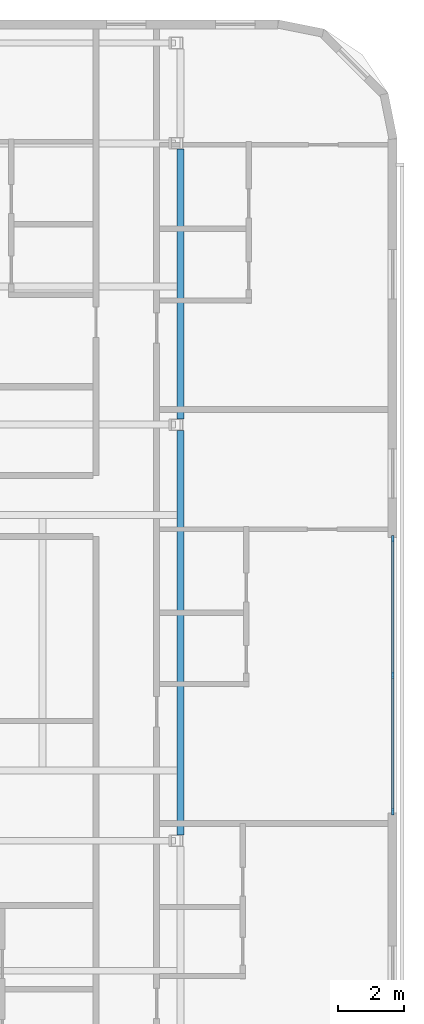
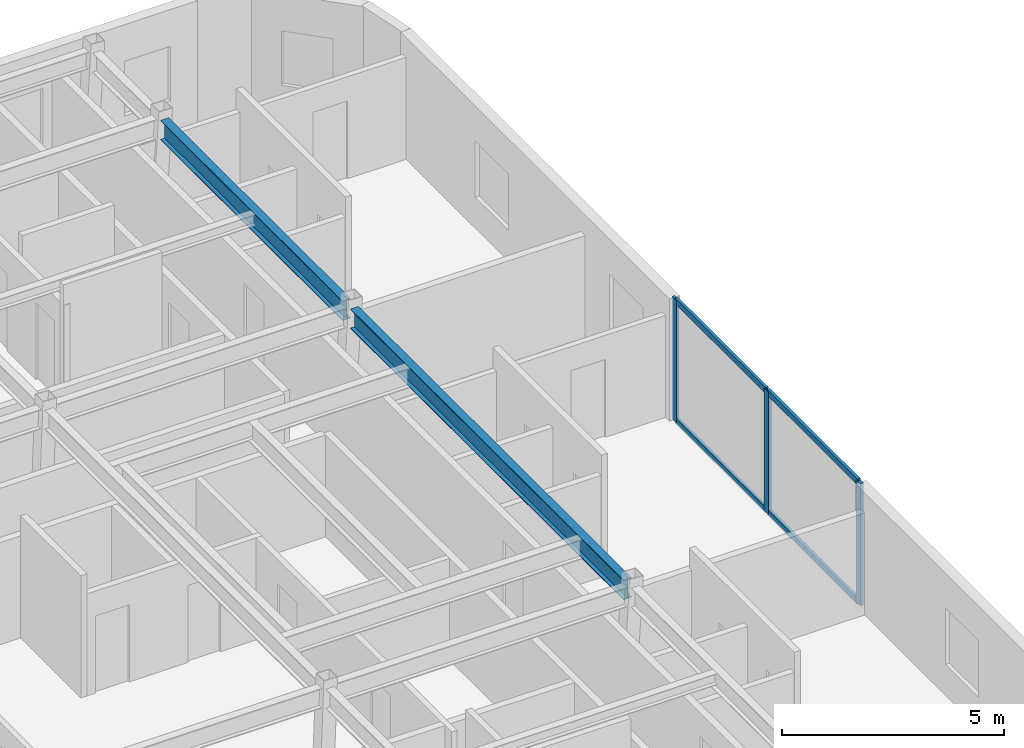
# One storey, part 2 of 10: 7 members, 2 beams, 1 element without a shape of its own.
"""IFC4 building model written with IfcOpenShell, lengths in metres."""

from ifc_helpers import new_model, si_unit, direction, frame, origin, origin_2d, place, context, subcontext, project, spatial, rectangle, i_section, extrude, material, layer, layer_set, material_profile, profile_set, type_object, element, aggregate, save


model = new_model("IFC4")

# Units and contexts
model_context = context("Model", 3, precision=1e-05, world=origin(), true_north=direction((0.0, 1.0)))
body_context = subcontext(model_context, "Body", "Model", "MODEL_VIEW")
ifc_project = project(units=[si_unit("LENGTHUNIT", "METRE"), si_unit("AREAUNIT", "SQUARE_METRE"), si_unit("VOLUMEUNIT", "CUBIC_METRE"), si_unit("PLANEANGLEUNIT", "RADIAN"), si_unit("MASSUNIT", "GRAM", prefix="KILO")], contexts=[model_context])

# Site, building, storey
site_placement = place(None, origin())
site = spatial("IfcSite", under=ifc_project, at=site_placement, CompositionType="ELEMENT")
building_placement = place(site_placement, origin())
building = spatial("IfcBuilding", under=site, at=building_placement, Name="Ochreholt Gables", CompositionType="ELEMENT")
storey_placement = place(building_placement, frame((0.0, 0.0, 223.800048828125)))
storey = spatial("IfcBuildingStorey", under=building, at=storey_placement, Name="L58", CompositionType="ELEMENT", Elevation=223.800048828125)

# Beams
ifc_material_1 = material(Name="Steel CSA G40.21 350W", Category="steel")
ifc_material_profile_1 = material_profile(ifc_material_1, i_section(OverallWidth=0.2109375, OverallDepth=0.5390625, WebThickness=0.01171875, FlangeThickness=0.018798828125, at=origin_2d()), Name="W530X109")
ifc_profile_set_1 = profile_set([ifc_material_profile_1], Name="Steel CSA G40.21 350W")
beam_type = type_object("IfcBeamType", Name="BM-G-W530A", PredefinedType="BEAM", material=ifc_profile_set_1)
beam_1_placement = place(storey_placement, frame((55.817626953125, 17.7275390625, 3.09033203125), z_axis=(0.0, 1.0, 0.0), x_axis=(-1.0, 0.0, 0.0)))
element("IfcBeam", 1, at=beam_1_placement, inside=storey, type_object=beam_type, Name="L58 Beam TBN-L58-EE-Y3Y4", PredefinedType="BEAM", context=body_context, shape_type="SweptSolid", body=[
    extrude(i_section(OverallWidth=0.2109375, OverallDepth=0.5390625, WebThickness=0.01171875, FlangeThickness=0.018798828125, at=origin_2d()), origin(), (0.0, 0.0, 1.0), 12.294921875),
])
beam_2_placement = place(storey_placement, frame((55.817626953125, 30.377685546875, 3.09033203125), z_axis=(0.0, 1.0, 0.0), x_axis=(-1.0, 0.0, 0.0)))
element("IfcBeam", 2, at=beam_2_placement, inside=storey, type_object=beam_type, Name="L58 Beam TBN-L58-EE-Y4Y5", PredefinedType="BEAM", context=body_context, shape_type="SweptSolid", body=[
    extrude(i_section(OverallWidth=0.2109375, OverallDepth=0.5390625, WebThickness=0.01171875, FlangeThickness=0.018798828125, at=origin_2d()), origin(), (0.0, 0.0, 1.0), 8.19482421875),
])

# Curtain wall, members
ifc_material_2 = material(Name="Unitised Aluminium and Triple Glazing", Category="aluminium")
ifc_layer = layer(ifc_material_2, 0.2099609375, Name="Unitised Aluminium and Triple Glazing")
ifc_layer_set = layer_set([ifc_layer], Name="Unitised Aluminium and Triple Glazing")
curtain_wall_type = type_object("IfcCurtainWallType", Name="CW-SYS5", PredefinedType="NOTDEFINED", material=ifc_layer_set)
curtain_wall_placement = place(storey_placement, origin())
curtain_wall = element("IfcCurtainWall", 3, at=curtain_wall_placement, inside=storey, type_object=curtain_wall_type, Name="L58 East Unitised Curtain Wall", PredefinedType="NOTDEFINED")
ifc_material_3 = material(Name="Anodized Aluminium 6063-T6", Category="aluminium")
ifc_material_profile_2 = material_profile(ifc_material_3, rectangle(XDim=0.074951171875, YDim=0.199951171875, at=origin_2d()), Name="CWM75X200")
ifc_profile_set_2 = profile_set([ifc_material_profile_2], Name="Anodized Aluminium 6063-T6")
member_type_1 = type_object("IfcMemberType", Name="CW-MUL-A", PredefinedType="MULLION", material=ifc_profile_set_2)
member_1_placement = place(storey_placement, frame((62.264892578125, 18.4375, 0.0), z_axis=(0.0, 0.0, 1.0), x_axis=(-1.0, 0.0, 0.0)))
member_1 = element("IfcMember", 4, at=member_1_placement, type_object=member_type_1, Name="CW-5 mullion 1", PredefinedType="MULLION", context=body_context, shape_type="SweptSolid", body=[
    extrude(rectangle(XDim=0.074951171875, YDim=0.199951171875, at=origin_2d()), origin(), (0.0, 0.0, 1.0), 3.35986328125),
])
member_2_placement = place(storey_placement, frame((62.264892578125, 22.5849609375, 0.0), z_axis=(0.0, 0.0, 1.0), x_axis=(-1.0, 0.0, 0.0)))
member_2 = element("IfcMember", 5, at=member_2_placement, type_object=member_type_1, Name="CW-5 mullion 2", PredefinedType="MULLION", context=body_context, shape_type="SweptSolid", body=[
    extrude(rectangle(XDim=0.074951171875, YDim=0.199951171875, at=origin_2d()), origin(), (0.0, 0.0, 1.0), 3.35986328125),
])
member_3_placement = place(storey_placement, frame((62.264892578125, 26.732421875, 0.0), z_axis=(0.0, 0.0, 1.0), x_axis=(-1.0, 0.0, 0.0)))
member_3 = element("IfcMember", 6, at=member_3_placement, type_object=member_type_1, Name="CW-5 mullion 3", PredefinedType="MULLION", context=body_context, shape_type="SweptSolid", body=[
    extrude(rectangle(XDim=0.074951171875, YDim=0.199951171875, at=origin_2d()), origin(), (0.0, 0.0, 1.0), 3.35986328125),
])
ifc_material_profile_3 = material_profile(ifc_material_3, rectangle(XDim=0.074951171875, YDim=0.159912109375, at=origin_2d()), Name="CWT75X160")
ifc_profile_set_3 = profile_set([ifc_material_profile_3], Name="Anodized Aluminium 6063-T6")
member_type_2 = type_object("IfcMemberType", Name="CW-TRN-A", PredefinedType="USERDEFINED", material=ifc_profile_set_3)
member_4_placement = place(storey_placement, frame((62.264892578125, 18.47509765625, 0.037353515625), z_axis=(0.0, 1.0, 0.0), x_axis=(-1.0, 0.0, 0.0)))
member_4 = element("IfcMember", 7, at=member_4_placement, type_object=member_type_2, Name="CW-5 transom 1.1", ObjectType="TRANSOM", PredefinedType="USERDEFINED", context=body_context, shape_type="SweptSolid", body=[
    extrude(rectangle(XDim=0.074951171875, YDim=0.159912109375, at=origin_2d()), origin(), (0.0, 0.0, 1.0), 4.072509765625),
])
member_5_placement = place(storey_placement, frame((62.264892578125, 18.47509765625, 3.322509765625), z_axis=(0.0, 1.0, 0.0), x_axis=(-1.0, 0.0, 0.0)))
member_5 = element("IfcMember", 8, at=member_5_placement, type_object=member_type_2, Name="CW-5 transom 1.2", ObjectType="TRANSOM", PredefinedType="USERDEFINED", context=body_context, shape_type="SweptSolid", body=[
    extrude(rectangle(XDim=0.074951171875, YDim=0.159912109375, at=origin_2d()), origin(), (0.0, 0.0, 1.0), 4.072509765625),
])
member_6_placement = place(storey_placement, frame((62.264892578125, 22.62255859375, 0.037353515625), z_axis=(0.0, 1.0, 0.0), x_axis=(-1.0, 0.0, 0.0)))
member_6 = element("IfcMember", 9, at=member_6_placement, type_object=member_type_2, Name="CW-5 transom 2.1", ObjectType="TRANSOM", PredefinedType="USERDEFINED", context=body_context, shape_type="SweptSolid", body=[
    extrude(rectangle(XDim=0.074951171875, YDim=0.159912109375, at=origin_2d()), origin(), (0.0, 0.0, 1.0), 4.072509765625),
])
member_7_placement = place(storey_placement, frame((62.264892578125, 22.62255859375, 3.322509765625), z_axis=(0.0, 1.0, 0.0), x_axis=(-1.0, 0.0, 0.0)))
member_7 = element("IfcMember", 10, at=member_7_placement, type_object=member_type_2, Name="CW-5 transom 2.2", ObjectType="TRANSOM", PredefinedType="USERDEFINED", context=body_context, shape_type="SweptSolid", body=[
    extrude(rectangle(XDim=0.074951171875, YDim=0.159912109375, at=origin_2d()), origin(), (0.0, 0.0, 1.0), 4.072509765625),
])
aggregate(curtain_wall, [member_1, member_2, member_3, member_4, member_5, member_6, member_7])

save(model, "model.ifc")
